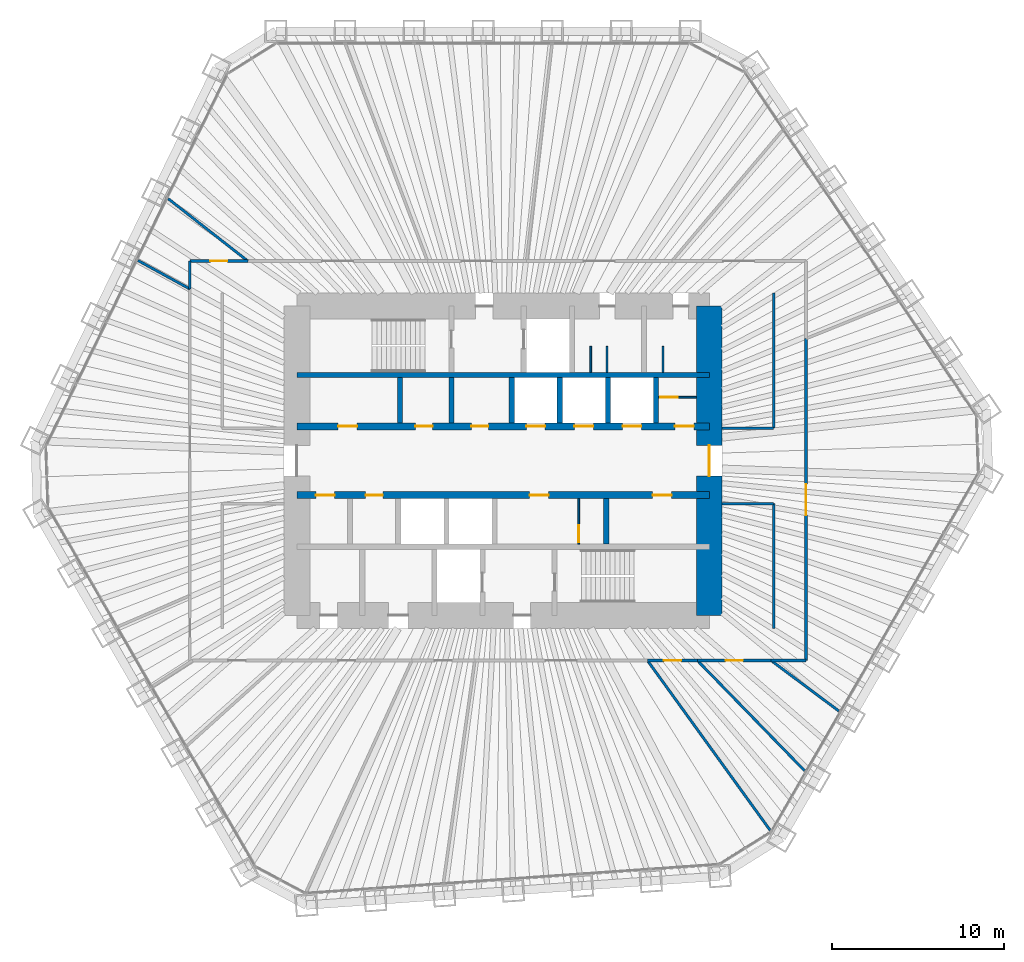
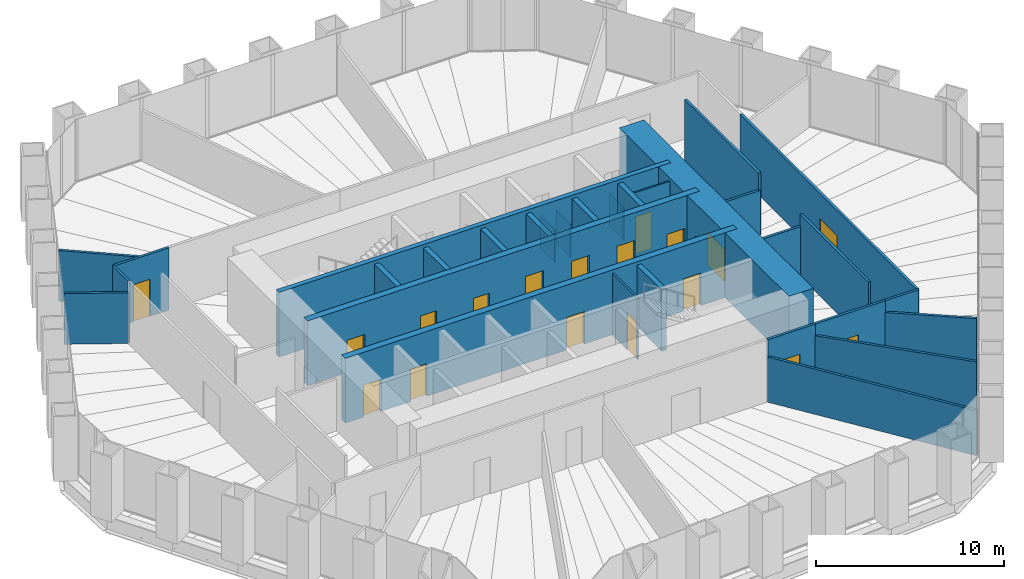
# One storey, part 11 of 13: 31 walls, 18 doors, 18 openings.
"""IFC4 building model written with IfcOpenShell, lengths in metres."""

from ifc_helpers import new_model, si_unit, direction, frame, frame_2d, origin, place, context, subcontext, project, spatial, rectangle, extrude, material, layer, layer_set, type_object, element, fill, save


model = new_model("IFC4")

# Units and contexts
model_context = context("Model", 3, precision=1e-05, world=origin(), true_north=direction((0.0, 1.0)))
body_context = subcontext(model_context, "Body", "Model", "MODEL_VIEW")
ifc_project = project(units=[si_unit("LENGTHUNIT", "METRE"), si_unit("AREAUNIT", "SQUARE_METRE"), si_unit("VOLUMEUNIT", "CUBIC_METRE"), si_unit("PLANEANGLEUNIT", "RADIAN"), si_unit("MASSUNIT", "GRAM", prefix="KILO")], contexts=[model_context])

# Site, building, storey
site_placement = place(None, origin())
site = spatial("IfcSite", under=ifc_project, at=site_placement, CompositionType="ELEMENT")
building_placement = place(site_placement, origin())
building = spatial("IfcBuilding", under=site, at=building_placement, Name="Qingtian Harvest Tower", CompositionType="ELEMENT")
storey_placement = place(building_placement, frame((0.0, 0.0, 161.800048828125)))
storey = spatial("IfcBuildingStorey", under=building, at=storey_placement, Name="L34", CompositionType="ELEMENT", Elevation=161.800048828125)

# Wall
ifc_material_1 = material(Name="Concrete fc' 70 MPa", Category="concrete")
ifc_layer_1 = layer(ifc_material_1, 0.300048828125)
ifc_layer_set_1 = layer_set([ifc_layer_1], Name="Core inner wall RC5 300")
wall_type_1 = type_object("IfcWallType", Name="Core inner wall RC5 300", PredefinedType="SHEAR", material=ifc_layer_set_1)
wall_1_placement = place(storey_placement, frame((-12.0, 5.0, 0.0), z_axis=(0.0, 0.0, 1.0), x_axis=(1.0, 0.0, 0.0)))
element("IfcWall", 1, at=wall_1_placement, inside=storey, type_object=wall_type_1, Name="Core wall IN5 L34", PredefinedType="SHEAR", context=body_context, shape_type="SweptSolid", body=[
    extrude(rectangle(XDim=24.0, YDim=0.300048828125, at=frame_2d((12.0, 0.0))), origin(), (0.0, 0.0, 1.0), 4.199951171875),
])

# Wall, openings, doors
ifc_material_2 = material(Name="Concrete fc' 70 MPa", Category="concrete")
ifc_layer_2 = layer(ifc_material_2, 0.39990234375)
ifc_layer_set_2 = layer_set([ifc_layer_2], Name="Core inner web RC6 400")
wall_type_2 = type_object("IfcWallType", Name="Core inner web RC6 400", PredefinedType="SHEAR", material=ifc_layer_set_2)
wall_2_placement = place(storey_placement, frame((-12.0, 2.0, 0.0), z_axis=(0.0, 0.0, 1.0), x_axis=(1.0, 0.0, 0.0)))
wall_2 = element("IfcWall", 2, at=wall_2_placement, inside=storey, type_object=wall_type_2, Name="Core wall IN2 L34", PredefinedType="SHEAR", context=body_context, shape_type="SweptSolid", body=[
    extrude(rectangle(XDim=24.0, YDim=0.39990234375, at=frame_2d((12.0, 0.0))), origin(), (0.0, 0.0, 1.0), 4.199951171875),
])
opening_1_placement = place(wall_2_placement, frame((2.39990234375, 0.0, 0.0)))
opening_1 = element("IfcOpeningElement", 3, at=opening_1_placement, cuts=wall_2, Name="Opening FD4", PredefinedType="OPENING", context=body_context, shape_type="SweptSolid", body=[
    extrude(rectangle(XDim=1.10009765625, YDim=2.10009765625, at=frame_2d((0.550048828125, 1.050048828125))), frame((0.0, 0.2099609375, 0.0), z_axis=(0.0, -1.0, 0.0), x_axis=(1.0, 0.0, 0.0)), (0.0, 0.0, 1.0), 0.419921875),
])
opening_2_placement = place(wall_2_placement, frame((22.0, 0.0, 0.0)))
opening_2 = element("IfcOpeningElement", 4, at=opening_2_placement, cuts=wall_2, Name="Opening FD4", PredefinedType="OPENING", context=body_context, shape_type="SweptSolid", body=[
    extrude(rectangle(XDim=1.10009765625, YDim=2.10009765625, at=frame_2d((0.550048828125, 1.050048828125))), frame((0.0, 0.2099609375, 0.0), z_axis=(0.0, -1.0, 0.0), x_axis=(1.0, 0.0, 0.0)), (0.0, 0.0, 1.0), 0.419921875),
])
opening_3_placement = place(wall_2_placement, frame((10.14990234375, 0.0, 0.0)))
opening_3 = element("IfcOpeningElement", 5, at=opening_3_placement, cuts=wall_2, Name="Opening FD1", PredefinedType="OPENING", context=body_context, shape_type="SweptSolid", body=[
    extrude(rectangle(XDim=1.0, YDim=2.10009765625, at=frame_2d((0.5, 1.050048828125))), frame((0.0, 0.2099609375, 0.0), z_axis=(0.0, -1.0, 0.0), x_axis=(1.0, 0.0, 0.0)), (0.0, 0.0, 1.0), 0.419921875),
])
opening_4_placement = place(wall_2_placement, frame((6.89990234375, 0.0, 0.0)))
opening_4 = element("IfcOpeningElement", 6, at=opening_4_placement, cuts=wall_2, Name="Opening FD1", PredefinedType="OPENING", context=body_context, shape_type="SweptSolid", body=[
    extrude(rectangle(XDim=1.0, YDim=2.10009765625, at=frame_2d((0.5, 1.050048828125))), frame((0.0, 0.2099609375, 0.0), z_axis=(0.0, -1.0, 0.0), x_axis=(1.0, 0.0, 0.0)), (0.0, 0.0, 1.0), 0.419921875),
])
opening_5_placement = place(wall_2_placement, frame((13.35009765625, 0.0, 0.0)))
opening_5 = element("IfcOpeningElement", 7, at=opening_5_placement, cuts=wall_2, Name="Opening LD1", PredefinedType="OPENING", context=body_context, shape_type="SweptSolid", body=[
    extrude(rectangle(XDim=1.10009765625, YDim=2.39990234375, at=frame_2d((0.550048828125, 1.199951171875))), frame((0.0, 0.2099609375, 0.0), z_axis=(0.0, -1.0, 0.0), x_axis=(1.0, 0.0, 0.0)), (0.0, 0.0, 1.0), 0.419921875),
])
opening_6_placement = place(wall_2_placement, frame((16.14990234375, 0.0, 0.0)))
opening_6 = element("IfcOpeningElement", 8, at=opening_6_placement, cuts=wall_2, Name="Opening LD1", PredefinedType="OPENING", context=body_context, shape_type="SweptSolid", body=[
    extrude(rectangle(XDim=1.10009765625, YDim=2.39990234375, at=frame_2d((0.550048828125, 1.199951171875))), frame((0.0, 0.2099609375, 0.0), z_axis=(0.0, -1.0, 0.0), x_axis=(1.0, 0.0, 0.0)), (0.0, 0.0, 1.0), 0.419921875),
])
opening_7_placement = place(wall_2_placement, frame((18.949951171875, 0.0, 0.0)))
opening_7 = element("IfcOpeningElement", 9, at=opening_7_placement, cuts=wall_2, Name="Opening LD1", PredefinedType="OPENING", context=body_context, shape_type="SweptSolid", body=[
    extrude(rectangle(XDim=1.10009765625, YDim=2.39990234375, at=frame_2d((0.550048828125, 1.199951171875))), frame((0.0, 0.2099609375, 0.0), z_axis=(0.0, -1.0, 0.0), x_axis=(1.0, 0.0, 0.0)), (0.0, 0.0, 1.0), 0.419921875),
])
ifc_material_3 = material(Name="Steel-faced door leaf", Category="steel")
door_type_1 = type_object("IfcDoorType", Name="Fire door FD1 single 1 HR", OperationType="SINGLE_SWING_LEFT", PredefinedType="DOOR", material=ifc_material_3)
door_1_placement = place(opening_3_placement, origin())
door_1 = element("IfcDoor", 10, at=door_1_placement, inside=storey, type_object=door_type_1, Name="STA door L34", OperationType="SINGLE_SWING_LEFT", OverallHeight=2.10009765625, OverallWidth=1.0, PredefinedType="DOOR", context=body_context, shape_type="SweptSolid", body=[
    extrude(rectangle(XDim=1.0, YDim=2.10009765625, at=frame_2d((0.5, 1.050048828125))), frame((0.0, 0.02490234375, 0.0), z_axis=(0.0, -1.0, 0.0), x_axis=(1.0, 0.0, 0.0)), (0.0, 0.0, 1.0), 0.050048828125),
])
fill(opening_3, door_1)
door_2_placement = place(opening_4_placement, origin())
door_2 = element("IfcDoor", 11, at=door_2_placement, inside=storey, type_object=door_type_1, Name="Staff WC door L34", OperationType="SINGLE_SWING_LEFT", OverallHeight=2.10009765625, OverallWidth=1.0, PredefinedType="DOOR", context=body_context, shape_type="SweptSolid", body=[
    extrude(rectangle(XDim=1.0, YDim=2.10009765625, at=frame_2d((0.5, 1.050048828125))), frame((0.0, 0.02490234375, 0.0), z_axis=(0.0, -1.0, 0.0), x_axis=(1.0, 0.0, 0.0)), (0.0, 0.0, 1.0), 0.050048828125),
])
fill(opening_4, door_2)
ifc_material_4 = material(Name="Steel-faced door leaf", Category="steel")
door_type_2 = type_object("IfcDoorType", Name="Fire door FD4 single 2 HR", OperationType="SINGLE_SWING_LEFT", PredefinedType="DOOR", material=ifc_material_4)
door_3_placement = place(opening_1_placement, origin())
door_3 = element("IfcDoor", 12, at=door_3_placement, inside=storey, type_object=door_type_2, Name="RA door L34", OperationType="SINGLE_SWING_RIGHT", OverallHeight=2.10009765625, OverallWidth=1.10009765625, PredefinedType="DOOR", context=body_context, shape_type="SweptSolid", body=[
    extrude(rectangle(XDim=1.10009765625, YDim=2.10009765625, at=frame_2d((0.550048828125, 1.050048828125))), frame((0.0, 0.02490234375, 0.0), z_axis=(0.0, -1.0, 0.0), x_axis=(1.0, 0.0, 0.0)), (0.0, 0.0, 1.0), 0.050048828125),
])
fill(opening_1, door_3)
door_4_placement = place(opening_2_placement, origin())
door_4 = element("IfcDoor", 13, at=door_4_placement, inside=storey, type_object=door_type_2, Name="AHU door L34", OperationType="SINGLE_SWING_RIGHT", OverallHeight=2.10009765625, OverallWidth=1.10009765625, PredefinedType="DOOR", context=body_context, shape_type="SweptSolid", body=[
    extrude(rectangle(XDim=1.10009765625, YDim=2.10009765625, at=frame_2d((0.550048828125, 1.050048828125))), frame((0.0, 0.02490234375, 0.0), z_axis=(0.0, -1.0, 0.0), x_axis=(1.0, 0.0, 0.0)), (0.0, 0.0, 1.0), 0.050048828125),
])
fill(opening_2, door_4)
ifc_material_5 = material(Name="Stainless steel lift landing door", Category="steel")
door_type_3 = type_object("IfcDoorType", Name="Lift landing door LD1 1 HR", OperationType="DOUBLE_DOOR_SLIDING", PredefinedType="DOOR", material=ifc_material_5)
door_5_placement = place(opening_5_placement, origin())
door_5 = element("IfcDoor", 14, at=door_5_placement, inside=storey, type_object=door_type_3, Name="PLB1 landing door L34", OperationType="DOUBLE_DOOR_SLIDING", OverallHeight=2.39990234375, OverallWidth=1.10009765625, PredefinedType="DOOR", context=body_context, shape_type="SweptSolid", body=[
    extrude(rectangle(XDim=1.10009765625, YDim=2.39990234375, at=frame_2d((0.550048828125, 1.199951171875))), frame((0.0, 0.02490234375, 0.0), z_axis=(0.0, -1.0, 0.0), x_axis=(1.0, 0.0, 0.0)), (0.0, 0.0, 1.0), 0.050048828125),
])
fill(opening_5, door_5)
door_6_placement = place(opening_6_placement, origin())
door_6 = element("IfcDoor", 15, at=door_6_placement, inside=storey, type_object=door_type_3, Name="PLB2 landing door L34", OperationType="DOUBLE_DOOR_SLIDING", OverallHeight=2.39990234375, OverallWidth=1.10009765625, PredefinedType="DOOR", context=body_context, shape_type="SweptSolid", body=[
    extrude(rectangle(XDim=1.10009765625, YDim=2.39990234375, at=frame_2d((0.550048828125, 1.199951171875))), frame((0.0, 0.02490234375, 0.0), z_axis=(0.0, -1.0, 0.0), x_axis=(1.0, 0.0, 0.0)), (0.0, 0.0, 1.0), 0.050048828125),
])
fill(opening_6, door_6)
door_7_placement = place(opening_7_placement, origin())
door_7 = element("IfcDoor", 16, at=door_7_placement, inside=storey, type_object=door_type_3, Name="PLB3 landing door L34", OperationType="DOUBLE_DOOR_SLIDING", OverallHeight=2.39990234375, OverallWidth=1.10009765625, PredefinedType="DOOR", context=body_context, shape_type="SweptSolid", body=[
    extrude(rectangle(XDim=1.10009765625, YDim=2.39990234375, at=frame_2d((0.550048828125, 1.199951171875))), frame((0.0, 0.02490234375, 0.0), z_axis=(0.0, -1.0, 0.0), x_axis=(1.0, 0.0, 0.0)), (0.0, 0.0, 1.0), 0.050048828125),
])
fill(opening_7, door_7)

wall_3_placement = place(storey_placement, frame((-12.0, -2.0, 0.0), z_axis=(0.0, 0.0, 1.0), x_axis=(1.0, 0.0, 0.0)))
wall_3 = element("IfcWall", 17, at=wall_3_placement, inside=storey, type_object=wall_type_2, Name="Core wall IS2 L34", PredefinedType="SHEAR", context=body_context, shape_type="SweptSolid", body=[
    extrude(rectangle(XDim=24.0, YDim=0.39990234375, at=frame_2d((12.0, 0.0))), origin(), (0.0, 0.0, 1.0), 4.199951171875),
])
opening_8_placement = place(wall_3_placement, frame((1.10009765625, 0.0, 0.0)))
opening_8 = element("IfcOpeningElement", 18, at=opening_8_placement, cuts=wall_3, Name="Opening FD4", PredefinedType="OPENING", context=body_context, shape_type="SweptSolid", body=[
    extrude(rectangle(XDim=1.10009765625, YDim=2.10009765625, at=frame_2d((0.550048828125, 1.050048828125))), frame((0.0, 0.2099609375, 0.0), z_axis=(0.0, -1.0, 0.0), x_axis=(1.0, 0.0, 0.0)), (0.0, 0.0, 1.0), 0.419921875),
])
opening_9_placement = place(wall_3_placement, frame((13.550048828125, 0.0, 0.0)))
opening_9 = element("IfcOpeningElement", 19, at=opening_9_placement, cuts=wall_3, Name="Opening FD4", PredefinedType="OPENING", context=body_context, shape_type="SweptSolid", body=[
    extrude(rectangle(XDim=1.10009765625, YDim=2.10009765625, at=frame_2d((0.550048828125, 1.050048828125))), frame((0.0, 0.2099609375, 0.0), z_axis=(0.0, -1.0, 0.0), x_axis=(1.0, 0.0, 0.0)), (0.0, 0.0, 1.0), 0.419921875),
])
opening_10_placement = place(wall_3_placement, frame((20.699951171875, 0.0, 0.0)))
opening_10 = element("IfcOpeningElement", 20, at=opening_10_placement, cuts=wall_3, Name="Opening FD4", PredefinedType="OPENING", context=body_context, shape_type="SweptSolid", body=[
    extrude(rectangle(XDim=1.10009765625, YDim=2.10009765625, at=frame_2d((0.550048828125, 1.050048828125))), frame((0.0, 0.2099609375, 0.0), z_axis=(0.0, -1.0, 0.0), x_axis=(1.0, 0.0, 0.0)), (0.0, 0.0, 1.0), 0.419921875),
])
opening_11_placement = place(wall_3_placement, frame((4.0, 0.0, 0.0)))
opening_11 = element("IfcOpeningElement", 21, at=opening_11_placement, cuts=wall_3, Name="Opening FD1", PredefinedType="OPENING", context=body_context, shape_type="SweptSolid", body=[
    extrude(rectangle(XDim=1.0, YDim=2.10009765625, at=frame_2d((0.5, 1.050048828125))), frame((0.0, 0.2099609375, 0.0), z_axis=(0.0, -1.0, 0.0), x_axis=(1.0, 0.0, 0.0)), (0.0, 0.0, 1.0), 0.419921875),
])
door_8_placement = place(opening_11_placement, origin())
door_8 = element("IfcDoor", 22, at=door_8_placement, inside=storey, type_object=door_type_1, Name="Archive store door L34", OperationType="SINGLE_SWING_LEFT", OverallHeight=2.10009765625, OverallWidth=1.0, PredefinedType="DOOR", context=body_context, shape_type="SweptSolid", body=[
    extrude(rectangle(XDim=1.0, YDim=2.10009765625, at=frame_2d((0.5, 1.050048828125))), frame((0.0, 0.02490234375, 0.0), z_axis=(0.0, -1.0, 0.0), x_axis=(1.0, 0.0, 0.0)), (0.0, 0.0, 1.0), 0.050048828125),
])
fill(opening_11, door_8)
door_9_placement = place(opening_8_placement, origin())
door_9 = element("IfcDoor", 23, at=door_9_placement, inside=storey, type_object=door_type_2, Name="RB door L34", OperationType="SINGLE_SWING_RIGHT", OverallHeight=2.10009765625, OverallWidth=1.10009765625, PredefinedType="DOOR", context=body_context, shape_type="SweptSolid", body=[
    extrude(rectangle(XDim=1.10009765625, YDim=2.10009765625, at=frame_2d((0.550048828125, 1.050048828125))), frame((0.0, 0.02490234375, 0.0), z_axis=(0.0, -1.0, 0.0), x_axis=(1.0, 0.0, 0.0)), (0.0, 0.0, 1.0), 0.050048828125),
])
fill(opening_8, door_9)
door_10_placement = place(opening_9_placement, origin())
door_10 = element("IfcDoor", 24, at=door_10_placement, inside=storey, type_object=door_type_2, Name="ELEC door L34", OperationType="SINGLE_SWING_RIGHT", OverallHeight=2.10009765625, OverallWidth=1.10009765625, PredefinedType="DOOR", context=body_context, shape_type="SweptSolid", body=[
    extrude(rectangle(XDim=1.10009765625, YDim=2.10009765625, at=frame_2d((0.550048828125, 1.050048828125))), frame((0.0, 0.02490234375, 0.0), z_axis=(0.0, -1.0, 0.0), x_axis=(1.0, 0.0, 0.0)), (0.0, 0.0, 1.0), 0.050048828125),
])
fill(opening_9, door_10)
door_11_placement = place(opening_10_placement, origin())
door_11 = element("IfcDoor", 25, at=door_11_placement, inside=storey, type_object=door_type_2, Name="DUCT door L34", OperationType="SINGLE_SWING_LEFT", OverallHeight=2.10009765625, OverallWidth=1.10009765625, PredefinedType="DOOR", context=body_context, shape_type="SweptSolid", body=[
    extrude(rectangle(XDim=1.10009765625, YDim=2.10009765625, at=frame_2d((0.550048828125, 1.050048828125))), frame((0.0, 0.02490234375, 0.0), z_axis=(0.0, -1.0, 0.0), x_axis=(1.0, 0.0, 0.0)), (0.0, 0.0, 1.0), 0.050048828125),
])
fill(opening_10, door_11)

# Walls
ifc_material_6 = material(Name="Precast concrete shaft panel", Category="concrete")
ifc_layer_3 = layer(ifc_material_6, 0.300048828125)
ifc_layer_set_3 = layer_set([ifc_layer_3], Name="Core shaft partition SW1 300")
wall_type_3 = type_object("IfcWallType", Name="Core shaft partition SW1 300", PredefinedType="PARTITIONING", material=ifc_layer_set_3)
for number, where, z_axis, x_axis, name in (
    (26, (-6.0, 2.199951171875, 0.0), (0.0, 0.0, 1.0), (0.0, 1.0, 0.0), "Core shaft partition XA1 L34"),
    (27, (-3.0, 2.199951171875, 0.0), (0.0, 0.0, 1.0), (0.0, 1.0, 0.0), "Core shaft partition XA2 L34"),
    (28, (0.5, 2.199951171875, 0.0), (0.0, 0.0, 1.0), (0.0, 1.0, 0.0), "Core shaft partition XA3 L34"),
    (29, (3.300048828125, 2.199951171875, 0.0), (0.0, 0.0, 1.0), (0.0, 1.0, 0.0), "Core shaft partition XA4 L34"),
    (30, (6.10009765625, 2.199951171875, 0.0), (0.0, 0.0, 1.0), (0.0, 1.0, 0.0), "Core shaft partition XA5 L34"),
    (31, (8.89990234375, 2.199951171875, 0.0), (0.0, 0.0, 1.0), (0.0, 1.0, 0.0), "Core shaft partition XA6 L34"),
    (32, (6.0, -4.85009765625, 0.0), (0.0, 0.0, 1.0), (0.0, 1.0, 0.0), "Core shaft partition XB5 L34"),
):
    element("IfcWall", number, at=place(storey_placement, frame(where, z_axis=z_axis, x_axis=x_axis)), inside=storey, type_object=wall_type_3, Name=name, PredefinedType="PARTITIONING", context=body_context, shape_type="SweptSolid", body=[
        extrude(rectangle(XDim=2.650146484375, YDim=0.300048828125, at=frame_2d((1.3251953125, 0.0))), origin(), (0.0, 0.0, 1.0), 3.97998046875),
    ])

# Wall, opening, door
ifc_material_7 = material(Name="Concrete fc' 70 MPa", Category="concrete")
ifc_layer_4 = layer(ifc_material_7, 1.5)
ifc_layer_set_4 = layer_set([ifc_layer_4], Name="Core wall RC1 1500")
wall_type_4 = type_object("IfcWallType", Name="Core wall RC1 1500", PredefinedType="SHEAR", material=ifc_layer_set_4)
wall_4_placement = place(storey_placement, frame((12.0, -9.0, 0.0), z_axis=(0.0, 0.0, 1.0), x_axis=(0.0, 1.0, 0.0)))
wall_4 = element("IfcWall", 33, at=wall_4_placement, inside=storey, type_object=wall_type_4, Name="Core wall CE L34", PredefinedType="SHEAR", context=body_context, shape_type="SweptSolid", body=[
    extrude(rectangle(XDim=18.0, YDim=1.5, at=frame_2d((9.0, 0.0))), origin(), (0.0, 0.0, 1.0), 4.199951171875),
])
opening_12_placement = place(wall_4_placement, frame((8.10009765625, 0.0, 0.0)))
opening_12 = element("IfcOpeningElement", 34, at=opening_12_placement, cuts=wall_4, Name="Opening FD2", PredefinedType="OPENING", context=body_context, shape_type="SweptSolid", body=[
    extrude(rectangle(XDim=1.800048828125, YDim=2.10009765625, at=frame_2d((0.89990234375, 1.050048828125))), frame((0.0, 0.760009765625, 0.0), z_axis=(0.0, -1.0, 0.0), x_axis=(1.0, 0.0, 0.0)), (0.0, 0.0, 1.0), 1.52001953125),
])
ifc_material_8 = material(Name="Steel-faced door leaf", Category="steel")
door_type_4 = type_object("IfcDoorType", Name="Fire door FD2 double 1 HR", OperationType="DOUBLE_DOOR_DOUBLE_SWING", PredefinedType="DOOR", material=ifc_material_8)
door_12_placement = place(opening_12_placement, origin())
door_12 = element("IfcDoor", 35, at=door_12_placement, inside=storey, type_object=door_type_4, Name="LOBBY-E door L34", OperationType="DOUBLE_DOOR_DOUBLE_SWING", OverallHeight=2.10009765625, OverallWidth=1.800048828125, PredefinedType="DOOR", context=body_context, shape_type="SweptSolid", body=[
    extrude(rectangle(XDim=1.800048828125, YDim=2.10009765625, at=frame_2d((0.89990234375, 1.050048828125))), frame((0.0, 0.02490234375, 0.0), z_axis=(0.0, -1.0, 0.0), x_axis=(1.0, 0.0, 0.0)), (0.0, 0.0, 1.0), 0.050048828125),
])
fill(opening_12, door_12)

ifc_material_9 = material(Name="Gypsum board on steel studs", Category="steel")
ifc_layer_5 = layer(ifc_material_9, 0.14990234375)
ifc_layer_set_5 = layer_set([ifc_layer_5], Name="Partition PT1 150")
wall_type_5 = type_object("IfcWallType", Name="Partition PT1 150", PredefinedType="PARTITIONING", material=ifc_layer_set_5)
wall_5_placement = place(storey_placement, frame((17.625, 7.10595703125, 0.0), z_axis=(0.0, 0.0, 1.0), x_axis=(0.0, -1.0, 0.0)))
wall_5 = element("IfcWall", 36, at=wall_5_placement, inside=storey, type_object=wall_type_5, Name="Office suite wall L34", PredefinedType="PARTITIONING", context=body_context, shape_type="SweptSolid", body=[
    extrude(rectangle(XDim=18.73095703125, YDim=0.14990234375, at=frame_2d((9.365478515625, 0.0))), origin(), (0.0, 0.0, 1.0), 4.030029296875),
])
opening_13_placement = place(wall_5_placement, frame((8.465576171875, 0.0, 0.0)))
opening_13 = element("IfcOpeningElement", 37, at=opening_13_placement, cuts=wall_5, Name="Opening D3", PredefinedType="OPENING", context=body_context, shape_type="SweptSolid", body=[
    extrude(rectangle(XDim=1.800048828125, YDim=2.39990234375, at=frame_2d((0.89990234375, 1.199951171875))), frame((0.0, 0.0849609375, 0.0), z_axis=(0.0, -1.0, 0.0), x_axis=(1.0, 0.0, 0.0)), (0.0, 0.0, 1.0), 0.169921875),
])
ifc_material_10 = material(Name="Laminated timber door leaf", Category="wood")
door_type_5 = type_object("IfcDoorType", Name="Room door D3 double", OperationType="DOUBLE_DOOR_DOUBLE_SWING", PredefinedType="DOOR", material=ifc_material_10)
door_13_placement = place(opening_13_placement, origin())
door_13 = element("IfcDoor", 38, at=door_13_placement, inside=storey, type_object=door_type_5, Name="Office suite door L34", OperationType="DOUBLE_DOOR_DOUBLE_SWING", OverallHeight=2.39990234375, OverallWidth=1.800048828125, PredefinedType="DOOR", context=body_context, shape_type="SweptSolid", body=[
    extrude(rectangle(XDim=1.800048828125, YDim=2.39990234375, at=frame_2d((0.89990234375, 1.199951171875))), frame((0.0, 0.02490234375, 0.0), z_axis=(0.0, -1.0, 0.0), x_axis=(1.0, 0.0, 0.0)), (0.0, 0.0, 1.0), 0.050048828125),
])
fill(opening_13, door_13)

# Walls
wall_6_placement = place(storey_placement, frame((17.625, -11.625, 0.0), z_axis=(0.0, 0.0, 1.0), x_axis=(-1.0, 0.0, 0.0)))
element("IfcWall", 39, at=wall_6_placement, inside=storey, type_object=wall_type_5, Name="Office suite wall L34", PredefinedType="PARTITIONING", context=body_context, shape_type="SweptSolid", body=[
    extrude(rectangle(XDim=2.02880859375, YDim=0.14990234375, at=frame_2d((1.014404296875, 0.0))), origin(), (0.0, 0.0, 1.0), 4.030029296875),
])
wall_7_placement = place(storey_placement, frame((19.536865234375, -14.562255859375, 0.0), z_axis=(0.0, 0.0, 1.0), x_axis=(-0.801778753003, 0.597620976233, 0.0)))
element("IfcWall", 40, at=wall_7_placement, inside=storey, type_object=wall_type_5, Name="Private office wall L34", PredefinedType="PARTITIONING", context=body_context, shape_type="SweptSolid", body=[
    extrude(rectangle(XDim=4.914794921875, YDim=0.14990234375, at=frame_2d((2.45751953125, 0.0))), origin(), (0.0, 0.0, 1.0), 3.280029296875),
])

# Wall, opening, door
wall_8_placement = place(storey_placement, frame((15.59619140625, -11.625, 0.0), z_axis=(0.0, 0.0, 1.0), x_axis=(-1.0, 0.0, 0.0)))
wall_8 = element("IfcWall", 41, at=wall_8_placement, inside=storey, type_object=wall_type_5, Name="Private office wall L34", PredefinedType="PARTITIONING", context=body_context, shape_type="SweptSolid", body=[
    extrude(rectangle(XDim=4.2890625, YDim=0.14990234375, at=frame_2d((2.14453125, 0.0))), origin(), (0.0, 0.0, 1.0), 4.030029296875),
])
opening_14_placement = place(wall_8_placement, frame((1.64453125, 0.0, 0.0)))
opening_14 = element("IfcOpeningElement", 42, at=opening_14_placement, cuts=wall_8, Name="Opening D2", PredefinedType="OPENING", context=body_context, shape_type="SweptSolid", body=[
    extrude(rectangle(XDim=1.0, YDim=2.39990234375, at=frame_2d((0.5, 1.199951171875))), frame((0.0, 0.0849609375, 0.0), z_axis=(0.0, -1.0, 0.0), x_axis=(1.0, 0.0, 0.0)), (0.0, 0.0, 1.0), 0.169921875),
])
ifc_material_11 = material(Name="Laminated timber door leaf", Category="wood")
door_type_6 = type_object("IfcDoorType", Name="Room door D2 single", OperationType="SINGLE_SWING_LEFT", PredefinedType="DOOR", material=ifc_material_11)
door_14_placement = place(opening_14_placement, origin())
door_14 = element("IfcDoor", 43, at=door_14_placement, inside=storey, type_object=door_type_6, Name="Private office door L34", OperationType="SINGLE_SWING_RIGHT", OverallHeight=2.39990234375, OverallWidth=1.0, PredefinedType="DOOR", context=body_context, shape_type="SweptSolid", body=[
    extrude(rectangle(XDim=1.0, YDim=2.39990234375, at=frame_2d((0.5, 1.199951171875))), frame((0.0, 0.02490234375, 0.0), z_axis=(0.0, -1.0, 0.0), x_axis=(1.0, 0.0, 0.0)), (0.0, 0.0, 1.0), 0.050048828125),
])
fill(opening_14, door_14)

# Wall
wall_9_placement = place(storey_placement, frame((17.537841796875, -18.031005859375, 0.0), z_axis=(0.0, 0.0, 1.0), x_axis=(-0.697230918085, 0.716846599257, 0.0)))
element("IfcWall", 44, at=wall_9_placement, inside=storey, type_object=wall_type_5, Name="Private office wall L34", PredefinedType="PARTITIONING", context=body_context, shape_type="SweptSolid", body=[
    extrude(rectangle(XDim=8.936279296875, YDim=0.14990234375, at=frame_2d((4.46826171875, 0.0))), origin(), (0.0, 0.0, 1.0), 3.280029296875),
])

# Wall, opening, door
wall_10_placement = place(storey_placement, frame((11.30712890625, -11.625, 0.0), z_axis=(0.0, 0.0, 1.0), x_axis=(-1.0, 0.0, 0.0)))
wall_10 = element("IfcWall", 45, at=wall_10_placement, inside=storey, type_object=wall_type_5, Name="Private office wall L34", PredefinedType="PARTITIONING", context=body_context, shape_type="SweptSolid", body=[
    extrude(rectangle(XDim=2.90576171875, YDim=0.14990234375, at=frame_2d((1.452880859375, 0.0))), origin(), (0.0, 0.0, 1.0), 4.030029296875),
])
opening_15_placement = place(wall_10_placement, frame((0.952880859375, 0.0, 0.0)))
opening_15 = element("IfcOpeningElement", 46, at=opening_15_placement, cuts=wall_10, Name="Opening D2", PredefinedType="OPENING", context=body_context, shape_type="SweptSolid", body=[
    extrude(rectangle(XDim=1.0, YDim=2.39990234375, at=frame_2d((0.5, 1.199951171875))), frame((0.0, 0.0849609375, 0.0), z_axis=(0.0, -1.0, 0.0), x_axis=(1.0, 0.0, 0.0)), (0.0, 0.0, 1.0), 0.169921875),
])
door_15_placement = place(opening_15_placement, origin())
door_15 = element("IfcDoor", 47, at=door_15_placement, inside=storey, type_object=door_type_6, Name="Private office door L34", OperationType="SINGLE_SWING_RIGHT", OverallHeight=2.39990234375, OverallWidth=1.0, PredefinedType="DOOR", context=body_context, shape_type="SweptSolid", body=[
    extrude(rectangle(XDim=1.0, YDim=2.39990234375, at=frame_2d((0.5, 1.199951171875))), frame((0.0, 0.02490234375, 0.0), z_axis=(0.0, -1.0, 0.0), x_axis=(1.0, 0.0, 0.0)), (0.0, 0.0, 1.0), 0.050048828125),
])
fill(opening_15, door_15)

# Walls
wall_11_placement = place(storey_placement, frame((15.53955078125, -21.50244140625, 0.0), z_axis=(0.0, 0.0, 1.0), x_axis=(-0.585731902034, 0.810504866697, 0.0)))
element("IfcWall", 48, at=wall_11_placement, inside=storey, type_object=wall_type_5, Name="Grower training room wall L34", PredefinedType="PARTITIONING", context=body_context, shape_type="SweptSolid", body=[
    extrude(rectangle(XDim=12.186767578125, YDim=0.14990234375, at=frame_2d((6.09326171875, 0.0))), origin(), (0.0, 0.0, 1.0), 2.929931640625),
])
wall_12_placement = place(storey_placement, frame((-21.242431640625, 11.65087890625, 0.0), z_axis=(0.0, 0.0, 1.0), x_axis=(0.876768023831, -0.480913539409, 0.0)))
element("IfcWall", 49, at=wall_12_placement, inside=storey, type_object=wall_type_5, Name="Store room wall L34", PredefinedType="PARTITIONING", context=body_context, shape_type="SweptSolid", body=[
    extrude(rectangle(XDim=3.44140625, YDim=0.14990234375, at=frame_2d((1.720703125, 0.0))), origin(), (0.0, 0.0, 1.0), 3.280029296875),
])
wall_13_placement = place(storey_placement, frame((-18.22509765625, 9.995849609375, 0.0), z_axis=(0.0, 0.0, 1.0), x_axis=(0.0, 1.0, 0.0)))
element("IfcWall", 50, at=wall_13_placement, inside=storey, type_object=wall_type_5, Name="Store room wall L34", PredefinedType="PARTITIONING", context=body_context, shape_type="SweptSolid", body=[
    extrude(rectangle(XDim=1.629150390625, YDim=0.14990234375, at=frame_2d((0.814453125, 0.0))), origin(), (0.0, 0.0, 1.0), 4.030029296875),
])

# Wall, opening, door
wall_14_placement = place(storey_placement, frame((-18.22509765625, 11.625, 0.0), z_axis=(0.0, 0.0, 1.0), x_axis=(1.0, 0.0, 0.0)))
wall_14 = element("IfcWall", 51, at=wall_14_placement, inside=storey, type_object=wall_type_5, Name="Store room wall L34", PredefinedType="PARTITIONING", context=body_context, shape_type="SweptSolid", body=[
    extrude(rectangle(XDim=3.367919921875, YDim=0.14990234375, at=frame_2d((1.68408203125, 0.0))), origin(), (0.0, 0.0, 1.0), 4.030029296875),
])
opening_16_placement = place(wall_14_placement, frame((1.18408203125, 0.0, 0.0)))
opening_16 = element("IfcOpeningElement", 52, at=opening_16_placement, cuts=wall_14, Name="Opening D2", PredefinedType="OPENING", context=body_context, shape_type="SweptSolid", body=[
    extrude(rectangle(XDim=1.0, YDim=2.39990234375, at=frame_2d((0.5, 1.199951171875))), frame((0.0, 0.0849609375, 0.0), z_axis=(0.0, -1.0, 0.0), x_axis=(1.0, 0.0, 0.0)), (0.0, 0.0, 1.0), 0.169921875),
])
door_16_placement = place(opening_16_placement, origin())
door_16 = element("IfcDoor", 53, at=door_16_placement, inside=storey, type_object=door_type_6, Name="Store room door L34", OperationType="SINGLE_SWING_RIGHT", OverallHeight=2.39990234375, OverallWidth=1.0, PredefinedType="DOOR", context=body_context, shape_type="SweptSolid", body=[
    extrude(rectangle(XDim=1.0, YDim=2.39990234375, at=frame_2d((0.5, 1.199951171875))), frame((0.0, 0.02490234375, 0.0), z_axis=(0.0, -1.0, 0.0), x_axis=(1.0, 0.0, 0.0)), (0.0, 0.0, 1.0), 0.050048828125),
])
fill(opening_16, door_16)

# Walls
wall_15_placement = place(storey_placement, frame((-19.489501953125, 15.249755859375, 0.0), z_axis=(0.0, 0.0, 1.0), x_axis=(0.787549668605, -0.616251182133, 0.0)))
element("IfcWall", 54, at=wall_15_placement, inside=storey, type_object=wall_type_5, Name="Office suite wall L34", PredefinedType="PARTITIONING", context=body_context, shape_type="SweptSolid", body=[
    extrude(rectangle(XDim=5.8818359375, YDim=0.14990234375, at=frame_2d((2.94091796875, 0.0))), origin(), (0.0, 0.0, 1.0), 3.280029296875),
])
wall_16_placement = place(storey_placement, frame((15.75, 1.89990234375, 0.0), z_axis=(0.0, 0.0, 1.0), x_axis=(0.0, 1.0, 0.0)))
element("IfcWall", 55, at=wall_16_placement, inside=storey, type_object=wall_type_5, Name="Breakout space wall L34", PredefinedType="PARTITIONING", context=body_context, shape_type="SweptSolid", body=[
    extrude(rectangle(XDim=7.85009765625, YDim=0.14990234375, at=frame_2d((3.925048828125, 0.0))), origin(), (0.0, 0.0, 1.0), 4.030029296875),
])
wall_17_placement = place(storey_placement, frame((12.75, 1.89990234375, 0.0), z_axis=(0.0, 0.0, 1.0), x_axis=(1.0, 0.0, 0.0)))
element("IfcWall", 56, at=wall_17_placement, inside=storey, type_object=wall_type_5, Name="Breakout space wall L34", PredefinedType="PARTITIONING", context=body_context, shape_type="SweptSolid", body=[
    extrude(rectangle(XDim=3.0, YDim=0.14990234375, at=frame_2d((1.5, 0.0))), origin(), (0.0, 0.0, 1.0), 2.929931640625),
])
wall_18_placement = place(storey_placement, frame((15.75, -9.75, 0.0), z_axis=(0.0, 0.0, 1.0), x_axis=(0.0, 1.0, 0.0)))
element("IfcWall", 57, at=wall_18_placement, inside=storey, type_object=wall_type_5, Name="Print area wall L34", PredefinedType="PARTITIONING", context=body_context, shape_type="SweptSolid", body=[
    extrude(rectangle(XDim=7.25, YDim=0.14990234375, at=frame_2d((3.625, 0.0))), origin(), (0.0, 0.0, 1.0), 4.030029296875),
])
wall_19_placement = place(storey_placement, frame((12.75, -2.5, 0.0), z_axis=(0.0, 0.0, 1.0), x_axis=(1.0, 0.0, 0.0)))
element("IfcWall", 58, at=wall_19_placement, inside=storey, type_object=wall_type_5, Name="Print area wall L34", PredefinedType="PARTITIONING", context=body_context, shape_type="SweptSolid", body=[
    extrude(rectangle(XDim=3.0, YDim=0.14990234375, at=frame_2d((1.5, 0.0))), origin(), (0.0, 0.0, 1.0), 3.280029296875),
])

# Wall, opening, door
ifc_material_12 = material(Name="Concrete block partition", Category="concrete")
ifc_layer_6 = layer(ifc_material_12, 0.10009765625)
ifc_layer_set_6 = layer_set([ifc_layer_6], Name="Store partition PT3 100")
wall_type_6 = type_object("IfcWallType", Name="Store partition PT3 100", PredefinedType="PARTITIONING", material=ifc_layer_set_6)
wall_20_placement = place(storey_placement, frame((4.39990234375, -4.85009765625, 0.0), z_axis=(0.0, 0.0, 1.0), x_axis=(0.0, 1.0, 0.0)))
wall_20 = element("IfcWall", 59, at=wall_20_placement, inside=storey, type_object=wall_type_6, Name="Comms room wall L34", PredefinedType="PARTITIONING", context=body_context, shape_type="SweptSolid", body=[
    extrude(rectangle(XDim=2.650146484375, YDim=0.10009765625, at=frame_2d((1.3251953125, 0.0))), origin(), (0.0, 0.0, 1.0), 3.97998046875),
])
opening_17_placement = place(wall_20_placement, frame((0.10009765625, 0.0, 0.0)))
opening_17 = element("IfcOpeningElement", 60, at=opening_17_placement, cuts=wall_20, Name="Opening D2", PredefinedType="OPENING", context=body_context, shape_type="SweptSolid", body=[
    extrude(rectangle(XDim=1.0, YDim=2.39990234375, at=frame_2d((0.5, 1.199951171875))), frame((0.0, 0.06005859375, 0.0), z_axis=(0.0, -1.0, 0.0), x_axis=(1.0, 0.0, 0.0)), (0.0, 0.0, 1.0), 0.1201171875),
])
door_17_placement = place(opening_17_placement, origin())
door_17 = element("IfcDoor", 61, at=door_17_placement, inside=storey, type_object=door_type_6, Name="Comms room door L34", OperationType="SINGLE_SWING_RIGHT", OverallHeight=2.39990234375, OverallWidth=1.0, PredefinedType="DOOR", context=body_context, shape_type="SweptSolid", body=[
    extrude(rectangle(XDim=1.0, YDim=2.39990234375, at=frame_2d((0.5, 1.199951171875))), frame((0.0, 0.02490234375, 0.0), z_axis=(0.0, -1.0, 0.0), x_axis=(1.0, 0.0, 0.0)), (0.0, 0.0, 1.0), 0.050048828125),
])
fill(opening_17, door_17)

wall_21_placement = place(storey_placement, frame((9.050048828125, 3.699951171875, 0.0), z_axis=(0.0, 0.0, 1.0), x_axis=(1.0, 0.0, 0.0)))
wall_21 = element("IfcWall", 62, at=wall_21_placement, inside=storey, type_object=wall_type_6, Name="Filter plant room wall L34", PredefinedType="PARTITIONING", context=body_context, shape_type="SweptSolid", body=[
    extrude(rectangle(XDim=2.199951171875, YDim=0.10009765625, at=frame_2d((1.10009765625, 0.0))), origin(), (0.0, 0.0, 1.0), 3.97998046875),
])
opening_18_placement = place(wall_21_placement, frame((0.10009765625, 0.0, 0.0)))
opening_18 = element("IfcOpeningElement", 63, at=opening_18_placement, cuts=wall_21, Name="Opening D2", PredefinedType="OPENING", context=body_context, shape_type="SweptSolid", body=[
    extrude(rectangle(XDim=1.0, YDim=2.39990234375, at=frame_2d((0.5, 1.199951171875))), frame((0.0, 0.06005859375, 0.0), z_axis=(0.0, -1.0, 0.0), x_axis=(1.0, 0.0, 0.0)), (0.0, 0.0, 1.0), 0.1201171875),
])
door_18_placement = place(opening_18_placement, origin())
door_18 = element("IfcDoor", 64, at=door_18_placement, inside=storey, type_object=door_type_6, Name="Filter plant room door L34", OperationType="SINGLE_SWING_LEFT", OverallHeight=2.39990234375, OverallWidth=1.0, PredefinedType="DOOR", context=body_context, shape_type="SweptSolid", body=[
    extrude(rectangle(XDim=1.0, YDim=2.39990234375, at=frame_2d((0.5, 1.199951171875))), frame((0.0, 0.02490234375, 0.0), z_axis=(0.0, -1.0, 0.0), x_axis=(1.0, 0.0, 0.0)), (0.0, 0.0, 1.0), 0.050048828125),
])
fill(opening_18, door_18)

# Walls
ifc_material_13 = material(Name="Compact laminate cubicle partition", Category="plastic")
ifc_layer_7 = layer(ifc_material_13, 0.10009765625)
ifc_layer_set_7 = layer_set([ifc_layer_7], Name="WC cubicle partition WP1 100")
wall_type_7 = type_object("IfcWallType", Name="WC cubicle partition WP1 100", PredefinedType="PARTITIONING", material=ifc_layer_set_7)
for number, where, z_axis, x_axis, name in (
    (65, (5.10009765625, 5.14990234375, 0.0), (0.0, 0.0, 1.0), (0.0, 1.0, 0.0), "WC cubicle partition WCM L34"),
    (66, (6.050048828125, 5.14990234375, 0.0), (0.0, 0.0, 1.0), (0.0, 1.0, 0.0), "WC cubicle partition WCM L34"),
    (67, (9.300048828125, 5.14990234375, 0.0), (0.0, 0.0, 1.0), (0.0, 1.0, 0.0), "WC cubicle partition WCF L34"),
):
    element("IfcWall", number, at=place(storey_placement, frame(where, z_axis=z_axis, x_axis=x_axis)), inside=storey, type_object=wall_type_7, Name=name, PredefinedType="PARTITIONING", context=body_context, shape_type="SweptSolid", body=[
        extrude(rectangle(XDim=1.5, YDim=0.10009765625, at=frame_2d((0.75, 0.0))), origin(), (0.0, 0.0, 1.0), 2.099853515625),
    ])

save(model, "model.ifc")
